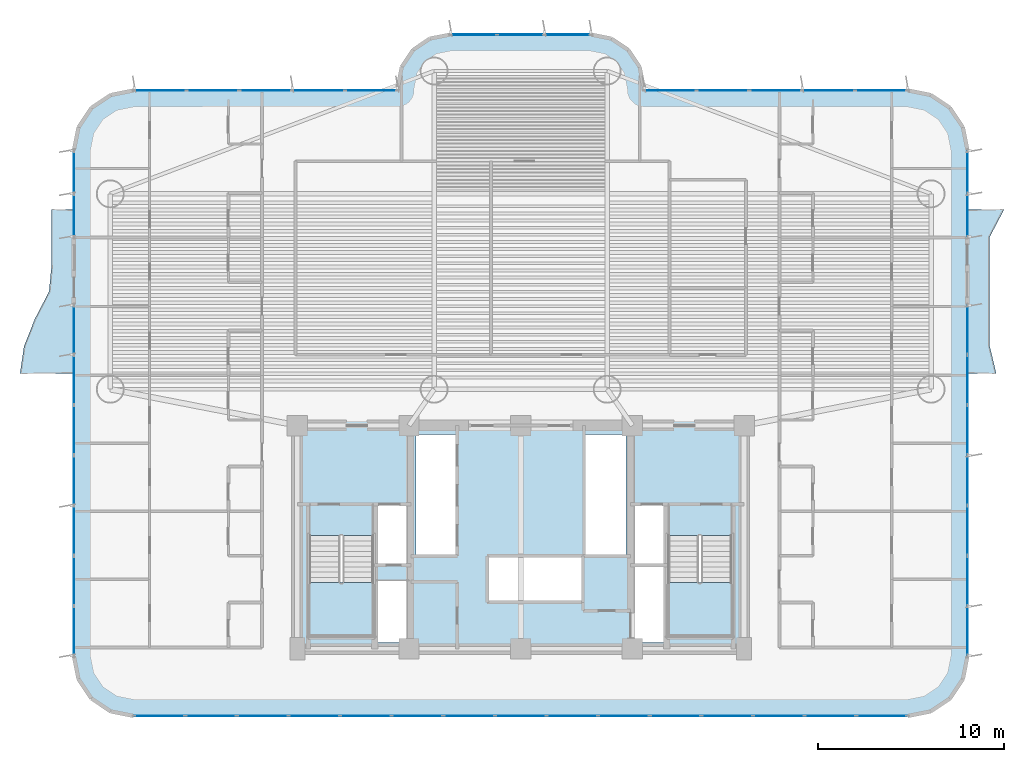
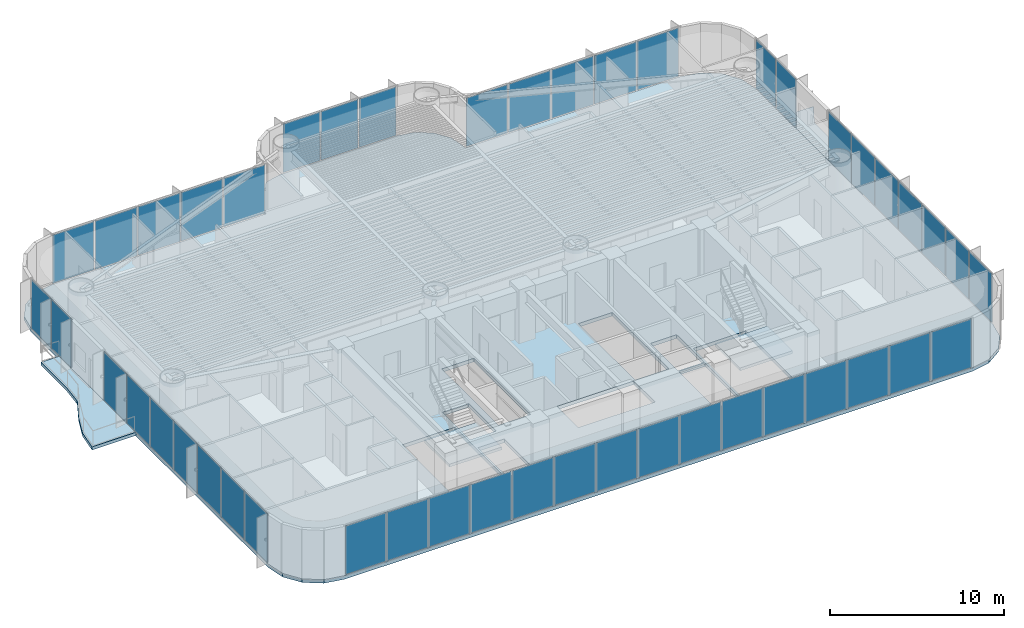
# One storey, part 9 of 19: 46 plates, 5 slabs, 10 elements without a shape of their own.
"""IFC4 building model written with IfcOpenShell, lengths in metres."""

import ifcopenshell
import ifcopenshell.guid

model = None  # the IFC model being written
_history = None  # IfcOwnerHistory: only IFC2X3 demands one
_inside = {}  # id of a spatial element -> (the spatial element, [elements in it])
_under = {}  # id of a project, library or spatial element -> (it, [spatial elements below it])
_declared = {}  # id of a project -> (the project, [libraries it declares])
_typed = {}  # id of a type object -> (the type object, [elements of that type])
_made_of = {}  # id of a material, layer set ... -> (it, [elements and type objects made of it])


def new_model(schema):
    """Start an empty IFC model of exactly this schema.

    Asked for "IFC4X3", IfcOpenShell would pick the latest addendum, in which some entities
    have other attributes; the version numbers below select the first issue.
    IFC2X3 requires an IfcOwnerHistory on every rooted entity: one is made here for all.
    """
    global model, _history
    if schema == "IFC4X3":
        model = ifcopenshell.file(schema_version=(4, 3, 0, 0))
    else:
        model = ifcopenshell.file(schema=schema)
    _inside.clear()
    _under.clear()
    _declared.clear()
    _typed.clear()
    _made_of.clear()
    _history = None
    if model.schema == "IFC2X3":
        org = make("IfcOrganization", Name="unknown")
        user = make(
            "IfcPersonAndOrganization",
            ThePerson=make("IfcPerson", FamilyName="unknown"),
            TheOrganization=org,
        )
        app = make(
            "IfcApplication",
            ApplicationDeveloper=org,
            Version="unknown",
            ApplicationFullName="unknown",
            ApplicationIdentifier="unknown",
        )
        _history = make(
            "IfcOwnerHistory",
            OwningUser=user,
            OwningApplication=app,
            ChangeAction="ADDED",
            CreationDate=0,
        )
    return model


def make(cls, **values):
    """One entity of the class cls with the attributes given. An attribute that is None is left unset."""
    return model.create_entity(
        cls, **{name: value for name, value in values.items() if value is not None}
    )


def rooted(cls, **values):
    """An entity with a GlobalId (a new one), such as an element, a storey or a relation."""
    return make(cls, GlobalId=ifcopenshell.guid.new(), OwnerHistory=_history, **values)


def si_unit(unit_type, name, prefix=None):
    """IfcSIUnit, for example si_unit("LENGTHUNIT", "METRE", prefix="MILLI")."""
    return make("IfcSIUnit", UnitType=unit_type, Prefix=prefix, Name=name)


def assignment(units):
    """IfcUnitAssignment: the units of a project."""
    return None if units is None else make("IfcUnitAssignment", Units=units)


def point(xyz):
    """IfcCartesianPoint."""
    return None if xyz is None else make("IfcCartesianPoint", Coordinates=xyz)


def direction(xyz):
    """IfcDirection."""
    return None if xyz is None else make("IfcDirection", DirectionRatios=xyz)


def frame(location, z_axis=None, x_axis=None):
    """IfcAxis2Placement3D, a coordinate frame: its origin and axes. An axis left out is left unset."""
    return make(
        "IfcAxis2Placement3D",
        Location=point(location),
        Axis=direction(z_axis),
        RefDirection=direction(x_axis),
    )


def frame_2d(location, x_axis=None):
    """IfcAxis2Placement2D, a coordinate frame in the plane: its origin and x axis."""
    return make(
        "IfcAxis2Placement2D", Location=point(location), RefDirection=direction(x_axis)
    )


def origin():
    """The frame at (0, 0, 0) with its axes left unset."""
    return frame((0.0, 0.0, 0.0))


def origin_2d():
    """The frame at (0, 0) in the plane with its x axis left unset."""
    return frame_2d((0.0, 0.0))


def place(relative_to, where):
    """IfcLocalPlacement: puts the frame where relative to a parent placement (None: the world)."""
    return make(
        "IfcLocalPlacement", PlacementRelTo=relative_to, RelativePlacement=where
    )


def context(
    kind, dimensions, precision=None, world=None, true_north=None, identifier=None
):
    """IfcGeometricRepresentationContext, for example the 3D "Model" context."""
    return make(
        "IfcGeometricRepresentationContext",
        ContextIdentifier=identifier,
        ContextType=kind,
        CoordinateSpaceDimension=dimensions,
        Precision=precision,
        WorldCoordinateSystem=world,
        TrueNorth=true_north,
    )


def subcontext(parent, identifier, kind, view, scale=None):
    """IfcGeometricRepresentationSubContext, for example "Body" below "Model"."""
    return make(
        "IfcGeometricRepresentationSubContext",
        ContextIdentifier=identifier,
        ContextType=kind,
        ParentContext=parent,
        TargetScale=scale,
        TargetView=view,
    )


def project(units=None, contexts=None):
    """IfcProject with its units and contexts."""
    return rooted(
        "IfcProject",
        Name="project",
        RepresentationContexts=contexts,
        UnitsInContext=assignment(units),
    )


def spatial(cls, under=None, at=None, **own):
    """A site, building, storey or space (cls), placed at a placement, below another one or the project."""
    s = rooted(cls, ObjectPlacement=at, **own)
    if under is not None:
        _under.setdefault(under.id(), (under, []))[1].append(s)
    return s


def polyline(points):
    """IfcPolyline through the points."""
    return make("IfcPolyline", Points=[point(p) for p in points])


def profile(cls, at=None, kind="AREA", **sizes):
    """A parametric profile (cls). Its sizes go by their IFC names, for example OverallWidth=200.0."""
    return make(cls, ProfileType=kind, Position=at, **sizes)


def rectangle(**sizes):
    """IfcRectangleProfileDef."""
    return profile("IfcRectangleProfileDef", **sizes)


def outline(outer, holes=None, kind="AREA"):
    """IfcArbitraryClosedProfileDef: a profile drawn as a closed curve; with holes, ...WithVoids."""
    if holes is None:
        return make("IfcArbitraryClosedProfileDef", ProfileType=kind, OuterCurve=outer)
    return make(
        "IfcArbitraryProfileDefWithVoids",
        ProfileType=kind,
        OuterCurve=outer,
        InnerCurves=holes,
    )


def extrude(swept, where, along, depth):
    """IfcExtrudedAreaSolid: the profile swept, set in the frame where, extruded along a direction by depth."""
    return make(
        "IfcExtrudedAreaSolid",
        SweptArea=swept,
        Position=where,
        ExtrudedDirection=direction(along),
        Depth=depth,
    )


def shape(context_of_items, identifier, shape_type, items):
    """IfcShapeRepresentation: the items that make up one representation, for example the "Body"."""
    return make(
        "IfcShapeRepresentation",
        ContextOfItems=context_of_items,
        RepresentationIdentifier=identifier,
        RepresentationType=shape_type,
        Items=items,
    )


def source(mapping_origin, context_of_items, identifier, shape_type, items):
    """IfcRepresentationMap: a shape defined once, which mapped items show again and again."""
    return make(
        "IfcRepresentationMap",
        MappingOrigin=mapping_origin,
        MappedRepresentation=shape(context_of_items, identifier, shape_type, items),
    )


def transform(
    local_origin,
    x_axis=None,
    y_axis=None,
    z_axis=None,
    scale=None,
    scale2=None,
    scale3=None,
    uniform=True,
):
    """IfcCartesianTransformationOperator3D, or its non-uniform kind. x_axis, y_axis, z_axis: its Axis1, 2, 3."""
    if uniform:
        return make(
            "IfcCartesianTransformationOperator3D",
            Axis1=direction(x_axis),
            Axis2=direction(y_axis),
            LocalOrigin=point(local_origin),
            Scale=scale,
            Axis3=direction(z_axis),
        )
    return make(
        "IfcCartesianTransformationOperator3DnonUniform",
        Axis1=direction(x_axis),
        Axis2=direction(y_axis),
        LocalOrigin=point(local_origin),
        Scale=scale,
        Axis3=direction(z_axis),
        Scale2=scale2,
        Scale3=scale3,
    )


def mapped(mapping_source, mapping_target):
    """IfcMappedItem: shows the shape of a source again, moved by a transform."""
    return make(
        "IfcMappedItem", MappingSource=mapping_source, MappingTarget=mapping_target
    )


def material(Name=None, Category=None):
    """IfcMaterial."""
    return make("IfcMaterial", Name=Name, Category=Category)


def layer(
    of_material, thickness, ventilated=None, Name=None, Category=None, Priority=None
):
    """IfcMaterialLayer: one layer of a wall or slab, of a material (None: an air gap)."""
    return make(
        "IfcMaterialLayer",
        Material=of_material,
        LayerThickness=thickness,
        IsVentilated=ventilated,
        Name=Name,
        Category=Category,
        Priority=Priority,
    )


def layer_set(layers, Name=None):
    """IfcMaterialLayerSet."""
    return make("IfcMaterialLayerSet", MaterialLayers=layers, LayerSetName=Name)


def made_of(thing, what):
    """Note that an element or type object is made of a material, layer set ...; save() writes the relation."""
    if what is not None:
        _made_of.setdefault(what.id(), (what, []))[1].append(thing)
    return thing


def type_object(cls, material=None, **own):
    """A type object (cls), such as IfcWallType, which elements share."""
    return made_of(rooted(cls, **own), material)


def element(
    cls,
    number,
    at=None,
    inside=None,
    cuts=None,
    type_object=None,
    material=None,
    context=None,
    identifier="Body",
    shape_type=None,
    held_by="IfcProductDefinitionShape",
    body=None,
    shapes=None,
    **own,
):
    """One element of the class cls, such as IfcWall. Its Tag is "e" and its number.

    at: its placement. inside: the storey or other place that contains it. cuts: it is an
    opening in that element (IfcRelVoidsElement). A single representation is given by context,
    identifier, shape_type and body (its items); several are given by shapes. held_by: the class
    of the entity that holds the representations. save() writes the other relations.
    """
    e = rooted(cls, Tag="e%d" % number, ObjectPlacement=at, **own)
    if body is not None:
        shapes = [shape(context, identifier, shape_type, body)]
    if shapes is not None:
        e.Representation = make(held_by, Representations=shapes)
    if inside is not None:
        _inside.setdefault(inside.id(), (inside, []))[1].append(e)
    if cuts is not None:
        rooted(
            "IfcRelVoidsElement", RelatingBuildingElement=cuts, RelatedOpeningElement=e
        )
    if type_object is not None:
        _typed.setdefault(type_object.id(), (type_object, []))[1].append(e)
    return made_of(e, material)


def aggregate(whole, parts):
    """IfcRelAggregates: a whole, such as a stair, and the parts it consists of."""
    return rooted("IfcRelAggregates", RelatingObject=whole, RelatedObjects=parts)


def save(model, path):
    """Write the relations noted so far, then the file.

    IfcRelAggregates (storeys below a building ...), IfcRelContainedInSpatialStructure (elements
    in a storey), IfcRelDefinesByType, IfcRelAssociatesMaterial and IfcRelDeclares: one each for
    every whole, place, type object, material and project.
    """
    for whole, parts in _under.values():
        aggregate(whole, parts)
    for where, things in _inside.values():
        rooted(
            "IfcRelContainedInSpatialStructure",
            RelatedElements=things,
            RelatingStructure=where,
        )
    for kind, things in _typed.values():
        rooted("IfcRelDefinesByType", RelatedObjects=things, RelatingType=kind)
    for what, things in _made_of.values():
        rooted("IfcRelAssociatesMaterial", RelatedObjects=things, RelatingMaterial=what)
    for by, libraries in _declared.values():
        rooted("IfcRelDeclares", RelatingContext=by, RelatedDefinitions=libraries)
    model.write(path)


model = new_model("IFC4")

# Units and contexts
model_context = context("Model", 3, precision=1e-05, world=origin(), true_north=direction((0.0, 1.0)))
body_context = subcontext(model_context, "Body", "Model", "MODEL_VIEW")
ifc_project = project(units=[si_unit("LENGTHUNIT", "METRE"), si_unit("AREAUNIT", "SQUARE_METRE"), si_unit("VOLUMEUNIT", "CUBIC_METRE"), si_unit("PLANEANGLEUNIT", "RADIAN"), si_unit("MASSUNIT", "GRAM", prefix="KILO")], contexts=[model_context])

# Site, building, storey
site_placement = place(None, origin())
site = spatial("IfcSite", under=ifc_project, at=site_placement, CompositionType="ELEMENT")
building_placement = place(site_placement, origin())
building = spatial("IfcBuilding", under=site, at=building_placement, Name="Brelvock Crest Care Tower", CompositionType="ELEMENT")
storey_placement = place(building_placement, frame((0.0, 0.0, 34.56005859375)))
storey = spatial("IfcBuildingStorey", under=building, at=storey_placement, Name="L08", CompositionType="ELEMENT", Elevation=34.56005859375)

# Slabs
ifc_material_1 = material(Name="Concrete N50 (50 MPa)", Category="concrete")
ifc_layer_1 = layer(ifc_material_1, 0.25, Name="SLB-FL3")
ifc_layer_set_1 = layer_set([ifc_layer_1], Name="Concrete N50 (50 MPa)")
slab_type_1 = type_object("IfcSlabType", Name="SLB-FL3", PredefinedType="FLOOR", material=ifc_layer_set_1)
slab_1_placement = place(storey_placement, frame((0.0, 0.0, -0.25)))
element("IfcSlab", 1, at=slab_1_placement, inside=storey, type_object=slab_type_1, Name="L08 Main Structural Slab", PredefinedType="FLOOR", context=body_context, shape_type="SweptSolid", body=[
    extrude(outline(polyline([(56.800048828125, 36.0), (42.60009765625, 36.0), (42.60009765625, 36.199951171875), (42.386962890625, 37.271484375), (41.77978515625, 38.179931640625), (40.87158203125, 38.786865234375), (39.800048828125, 39.0), (32.199951171875, 39.0), (31.12841796875, 38.786865234375), (30.22021484375, 38.179931640625), (29.613037109375, 37.271484375), (29.39990234375, 36.199951171875), (29.39990234375, 36.0), (15.199951171875, 36.0), (13.975341796875, 35.75634765625), (12.937255859375, 35.062744140625), (12.24365234375, 34.024658203125), (12.0, 32.800048828125), (12.0, 5.60009765625), (12.24365234375, 4.37548828125), (12.937255859375, 3.33740234375), (13.975341796875, 2.6435546875), (15.199951171875, 2.39990234375), (56.800048828125, 2.39990234375), (58.024658203125, 2.6435546875), (59.062744140625, 3.33740234375), (59.75634765625, 4.37548828125), (60.0, 5.60009765625), (60.0, 32.800048828125), (59.75634765625, 34.024658203125), (59.062744140625, 35.062744140625), (58.024658203125, 35.75634765625), (56.800048828125, 36.0)]), holes=[polyline([(28.239990234375, 10.580078125), (29.97998046875, 10.580078125), (29.97998046875, 13.739990234375), (28.239990234375, 13.739990234375), (28.239990234375, 10.580078125)]), polyline([(42.02001953125, 10.580078125), (43.760009765625, 10.580078125), (43.760009765625, 13.739990234375), (42.02001953125, 13.739990234375), (42.02001953125, 10.580078125)]), polyline([(28.239990234375, 6.340087890625), (29.97998046875, 6.340087890625), (29.97998046875, 9.64990234375), (28.239990234375, 9.64990234375), (28.239990234375, 6.340087890625)]), polyline([(24.6298828125, 12.080078125), (24.6298828125, 6.699951171875), (28.110107421875, 6.699951171875), (28.110107421875, 12.080078125), (24.6298828125, 12.080078125)]), polyline([(43.889892578125, 12.080078125), (43.889892578125, 6.699951171875), (47.3701171875, 6.699951171875), (47.3701171875, 12.080078125), (43.889892578125, 12.080078125)]), polyline([(42.02001953125, 6.340087890625), (43.760009765625, 6.340087890625), (43.760009765625, 10.5), (42.02001953125, 10.5), (42.02001953125, 6.340087890625)]), polyline([(30.3798828125, 11.030029296875), (32.52001953125, 11.030029296875), (32.52001953125, 17.52001953125), (30.3798828125, 17.52001953125), (30.3798828125, 11.030029296875)]), polyline([(34.22998046875, 8.530029296875), (39.320068359375, 8.530029296875), (39.320068359375, 10.969970703125), (34.22998046875, 10.969970703125), (34.22998046875, 8.530029296875)]), polyline([(39.429931640625, 11.030029296875), (41.669921875, 11.030029296875), (41.669921875, 17.52001953125), (39.429931640625, 17.52001953125), (39.429931640625, 11.030029296875)])]), origin(), (0.0, 0.0, 1.0), 0.25),
])
ifc_layer_2 = layer(ifc_material_1, 0.219970703125, Name="SLB-WB1")
ifc_layer_set_2 = layer_set([ifc_layer_2], Name="Concrete N50 (50 MPa)")
slab_type_2 = type_object("IfcSlabType", Name="SLB-WB1", PredefinedType="FLOOR", material=ifc_layer_set_2)
slab_2_placement = place(storey_placement, frame((0.0, 0.0, -0.219970703125)))
element("IfcSlab", 2, at=slab_2_placement, inside=storey, type_object=slab_type_2, Name="L08 W Sinusoidal Wave Balcony Slab", PredefinedType="FLOOR", context=body_context, shape_type="SweptSolid", body=[
    extrude(outline(polyline([(12.0, 29.60009765625), (10.800048828125, 29.60009765625), (10.800048828125, 28.13330078125), (10.800048828125, 26.666748046875), (10.6611328125, 25.199951171875), (9.90087890625, 23.7333984375), (9.31787109375, 22.2666015625), (9.10009765625, 20.800048828125), (12.0, 20.800048828125), (12.0, 29.60009765625)])), origin(), (0.0, 0.0, 1.0), 0.219970703125),
])
slab_3_placement = place(storey_placement, frame((0.0, 0.0, -0.219970703125)))
element("IfcSlab", 3, at=slab_3_placement, inside=storey, type_object=slab_type_2, Name="L08 E Sinusoidal Wave Balcony Slab", PredefinedType="FLOOR", context=body_context, shape_type="SweptSolid", body=[
    extrude(outline(polyline([(60.0, 20.800048828125), (61.550048828125, 20.800048828125), (61.199951171875, 22.2666015625), (61.199951171875, 23.7333984375), (61.199951171875, 25.199951171875), (61.199951171875, 26.666748046875), (61.20068359375, 28.13330078125), (61.96728515625, 29.60009765625), (60.0, 29.60009765625), (60.0, 20.800048828125)])), origin(), (0.0, 0.0, 1.0), 0.219970703125),
])

# Stair, slab
ifc_material_2 = material(Name="Concrete N40 (40 MPa)", Category="concrete")
stair_type = type_object("IfcStairType", Name="ST-CORE1", PredefinedType="HALF_TURN_STAIR", material=ifc_material_2)
stair_1_placement = place(storey_placement, origin())
stair_1 = element("IfcStair", 4, at=stair_1_placement, inside=storey, type_object=stair_type, Name="L08 Fire-Isolated Core Stair ST-1", PredefinedType="HALF_TURN_STAIR")
ifc_layer_3 = layer(ifc_material_2, 0.199951171875, Name="STL-1")
ifc_layer_set_3 = layer_set([ifc_layer_3], Name="Concrete N40 (40 MPa)")
slab_type_3 = type_object("IfcSlabType", Name="STL-1", PredefinedType="LANDING", material=ifc_layer_set_3)
slab_4_placement = place(storey_placement, frame((0.0, 0.0, 1.68994140625)))
slab_4 = element("IfcSlab", 5, at=slab_4_placement, type_object=slab_type_3, Name="ST-1 landing 1", PredefinedType="LANDING", context=body_context, shape_type="SweptSolid", body=[
    extrude(outline(polyline([(24.6298828125, 9.56005859375), (24.6298828125, 6.699951171875), (28.110107421875, 6.699951171875), (28.110107421875, 9.56005859375), (24.6298828125, 9.56005859375)])), origin(), (0.0, 0.0, 1.0), 0.199951171875),
])
aggregate(stair_1, [slab_4])

stair_2_placement = place(storey_placement, origin())
stair_2 = element("IfcStair", 6, at=stair_2_placement, inside=storey, type_object=stair_type, Name="L08 Fire-Isolated Core Stair ST-2", PredefinedType="HALF_TURN_STAIR")
slab_5_placement = place(storey_placement, frame((0.0, 0.0, 1.68994140625)))
slab_5 = element("IfcSlab", 7, at=slab_5_placement, type_object=slab_type_3, Name="ST-2 landing 1", PredefinedType="LANDING", context=body_context, shape_type="SweptSolid", body=[
    extrude(outline(polyline([(43.889892578125, 9.56005859375), (43.889892578125, 6.699951171875), (47.3701171875, 6.699951171875), (47.3701171875, 9.56005859375), (43.889892578125, 9.56005859375)])), origin(), (0.0, 0.0, 1.0), 0.199951171875),
])
aggregate(stair_2, [slab_5])

# Curtain wall, plates
ifc_material_3 = material(Name="Dark Glass Double Glazed Low-E", Category="glass")
ifc_layer_4 = layer(ifc_material_3, 0.195068359375, Name="CWS-2")
ifc_layer_set_4 = layer_set([ifc_layer_4], Name="Dark Glass Double Glazed Low-E")
curtain_wall_type = type_object("IfcCurtainWallType", Name="CWS-2", PredefinedType="NOTDEFINED", material=ifc_layer_set_4)
curtain_wall_1_placement = place(storey_placement, origin())
curtain_wall_1 = element("IfcCurtainWall", 8, at=curtain_wall_1_placement, inside=storey, type_object=curtain_wall_type, Name="L08 Curtain Wall E08", PredefinedType="NOTDEFINED")
ifc_layer_5 = layer(ifc_material_3, 0.031982421875, Name="CWP-V1")
ifc_layer_set_5 = layer_set([ifc_layer_5], Name="Dark Glass Double Glazed Low-E")
plate_type = type_object("IfcPlateType", Name="CWP-V1", PredefinedType="CURTAIN_PANEL", material=ifc_layer_set_5)
shared_shape_1 = source(origin(), body_context, "Body", "SweptSolid", [
    extrude(rectangle(XDim=2.67578125, YDim=0.035888671875, at=origin_2d()), origin(), (0.0, 0.0, 1.0), 3.39990234375),
])
plate_1_placement = place(storey_placement, frame((55.39697265625, 2.39990234375, 0.06494140625), z_axis=(0.0, 0.0, 1.0), x_axis=(-1.0, 0.0, 0.0)))
plate_1 = element("IfcPlate", 9, at=plate_1_placement, type_object=plate_type, Name="CW-2 panel 1.1", PredefinedType="CURTAIN_PANEL", context=body_context, shape_type="MappedRepresentation", body=[
    mapped(shared_shape_1, transform((0.0, 0.0, 0.0), x_axis=(1.0, 0.0, 0.0), y_axis=(0.0, 1.0, 0.0), z_axis=(0.0, 0.0, 1.0), scale=1.0)),
])
plate_2_placement = place(storey_placement, frame((16.60302734375, 2.39990234375, 0.06494140625), z_axis=(0.0, 0.0, 1.0), x_axis=(-1.0, 0.0, 0.0)))
plate_2 = element("IfcPlate", 10, at=plate_2_placement, type_object=plate_type, Name="CW-2 panel 15.1", PredefinedType="CURTAIN_PANEL", context=body_context, shape_type="MappedRepresentation", body=[
    mapped(shared_shape_1, transform((0.0, 0.0, 0.0), x_axis=(1.0, 0.0, 0.0), y_axis=(0.0, 1.0, 0.0), z_axis=(0.0, 0.0, 1.0), scale=1.0)),
])
shared_shape_2 = source(origin(), body_context, "Body", "SweptSolid", [
    extrude(rectangle(XDim=2.708251953125, YDim=0.035888671875, at=origin_2d()), origin(), (0.0, 0.0, 1.0), 3.39990234375),
])
plate_3_placement = place(storey_placement, frame((52.639892578125, 2.39990234375, 0.06494140625), z_axis=(0.0, 0.0, 1.0), x_axis=(-1.0, 0.0, 0.0)))
plate_3 = element("IfcPlate", 11, at=plate_3_placement, type_object=plate_type, Name="CW-2 panel 2.1", PredefinedType="CURTAIN_PANEL", context=body_context, shape_type="MappedRepresentation", body=[
    mapped(shared_shape_2, transform((0.0, 0.0, 0.0), x_axis=(1.0, 0.0, 0.0), y_axis=(0.0, 1.0, 0.0), z_axis=(0.0, 0.0, 1.0), scale=1.0)),
])
plate_4_placement = place(storey_placement, frame((49.86669921875, 2.39990234375, 0.06494140625), z_axis=(0.0, 0.0, 1.0), x_axis=(-1.0, 0.0, 0.0)))
plate_4 = element("IfcPlate", 12, at=plate_4_placement, type_object=plate_type, Name="CW-2 panel 3.1", PredefinedType="CURTAIN_PANEL", context=body_context, shape_type="MappedRepresentation", body=[
    mapped(shared_shape_2, transform((0.0, 0.0, 0.0), x_axis=(1.0, 0.0, 0.0), y_axis=(0.0, 1.0, 0.0), z_axis=(0.0, 0.0, 1.0), scale=1.0)),
])
plate_5_placement = place(storey_placement, frame((47.09326171875, 2.39990234375, 0.06494140625), z_axis=(0.0, 0.0, 1.0), x_axis=(-1.0, 0.0, 0.0)))
plate_5 = element("IfcPlate", 13, at=plate_5_placement, type_object=plate_type, Name="CW-2 panel 4.1", PredefinedType="CURTAIN_PANEL", context=body_context, shape_type="MappedRepresentation", body=[
    mapped(shared_shape_2, transform((0.0, 0.0, 0.0), x_axis=(1.0, 0.0, 0.0), y_axis=(0.0, 1.0, 0.0), z_axis=(0.0, 0.0, 1.0), scale=1.0)),
])
plate_6_placement = place(storey_placement, frame((44.320068359375, 2.39990234375, 0.06494140625), z_axis=(0.0, 0.0, 1.0), x_axis=(-1.0, 0.0, 0.0)))
plate_6 = element("IfcPlate", 14, at=plate_6_placement, type_object=plate_type, Name="CW-2 panel 5.1", PredefinedType="CURTAIN_PANEL", context=body_context, shape_type="MappedRepresentation", body=[
    mapped(shared_shape_2, transform((0.0, 0.0, 0.0), x_axis=(1.0, 0.0, 0.0), y_axis=(0.0, 1.0, 0.0), z_axis=(0.0, 0.0, 1.0), scale=1.0)),
])
plate_7_placement = place(storey_placement, frame((41.546630859375, 2.39990234375, 0.06494140625), z_axis=(0.0, 0.0, 1.0), x_axis=(-1.0, 0.0, 0.0)))
plate_7 = element("IfcPlate", 15, at=plate_7_placement, type_object=plate_type, Name="CW-2 panel 6.1", PredefinedType="CURTAIN_PANEL", context=body_context, shape_type="MappedRepresentation", body=[
    mapped(shared_shape_2, transform((0.0, 0.0, 0.0), x_axis=(1.0, 0.0, 0.0), y_axis=(0.0, 1.0, 0.0), z_axis=(0.0, 0.0, 1.0), scale=1.0)),
])
plate_8_placement = place(storey_placement, frame((38.7734375, 2.39990234375, 0.06494140625), z_axis=(0.0, 0.0, 1.0), x_axis=(-1.0, 0.0, 0.0)))
plate_8 = element("IfcPlate", 16, at=plate_8_placement, type_object=plate_type, Name="CW-2 panel 7.1", PredefinedType="CURTAIN_PANEL", context=body_context, shape_type="MappedRepresentation", body=[
    mapped(shared_shape_2, transform((0.0, 0.0, 0.0), x_axis=(1.0, 0.0, 0.0), y_axis=(0.0, 1.0, 0.0), z_axis=(0.0, 0.0, 1.0), scale=1.0)),
])
plate_9_placement = place(storey_placement, frame((36.0, 2.39990234375, 0.06494140625), z_axis=(0.0, 0.0, 1.0), x_axis=(-1.0, 0.0, 0.0)))
plate_9 = element("IfcPlate", 17, at=plate_9_placement, type_object=plate_type, Name="CW-2 panel 8.1", PredefinedType="CURTAIN_PANEL", context=body_context, shape_type="MappedRepresentation", body=[
    mapped(shared_shape_2, transform((0.0, 0.0, 0.0), x_axis=(1.0, 0.0, 0.0), y_axis=(0.0, 1.0, 0.0), z_axis=(0.0, 0.0, 1.0), scale=1.0)),
])
plate_10_placement = place(storey_placement, frame((33.2265625, 2.39990234375, 0.06494140625), z_axis=(0.0, 0.0, 1.0), x_axis=(-1.0, 0.0, 0.0)))
plate_10 = element("IfcPlate", 18, at=plate_10_placement, type_object=plate_type, Name="CW-2 panel 9.1", PredefinedType="CURTAIN_PANEL", context=body_context, shape_type="MappedRepresentation", body=[
    mapped(shared_shape_2, transform((0.0, 0.0, 0.0), x_axis=(1.0, 0.0, 0.0), y_axis=(0.0, 1.0, 0.0), z_axis=(0.0, 0.0, 1.0), scale=1.0)),
])
plate_11_placement = place(storey_placement, frame((30.453369140625, 2.39990234375, 0.06494140625), z_axis=(0.0, 0.0, 1.0), x_axis=(-1.0, 0.0, 0.0)))
plate_11 = element("IfcPlate", 19, at=plate_11_placement, type_object=plate_type, Name="CW-2 panel 10.1", PredefinedType="CURTAIN_PANEL", context=body_context, shape_type="MappedRepresentation", body=[
    mapped(shared_shape_2, transform((0.0, 0.0, 0.0), x_axis=(1.0, 0.0, 0.0), y_axis=(0.0, 1.0, 0.0), z_axis=(0.0, 0.0, 1.0), scale=1.0)),
])
plate_12_placement = place(storey_placement, frame((27.679931640625, 2.39990234375, 0.06494140625), z_axis=(0.0, 0.0, 1.0), x_axis=(-1.0, 0.0, 0.0)))
plate_12 = element("IfcPlate", 20, at=plate_12_placement, type_object=plate_type, Name="CW-2 panel 11.1", PredefinedType="CURTAIN_PANEL", context=body_context, shape_type="MappedRepresentation", body=[
    mapped(shared_shape_2, transform((0.0, 0.0, 0.0), x_axis=(1.0, 0.0, 0.0), y_axis=(0.0, 1.0, 0.0), z_axis=(0.0, 0.0, 1.0), scale=1.0)),
])
plate_13_placement = place(storey_placement, frame((24.90673828125, 2.39990234375, 0.06494140625), z_axis=(0.0, 0.0, 1.0), x_axis=(-1.0, 0.0, 0.0)))
plate_13 = element("IfcPlate", 21, at=plate_13_placement, type_object=plate_type, Name="CW-2 panel 12.1", PredefinedType="CURTAIN_PANEL", context=body_context, shape_type="MappedRepresentation", body=[
    mapped(shared_shape_2, transform((0.0, 0.0, 0.0), x_axis=(1.0, 0.0, 0.0), y_axis=(0.0, 1.0, 0.0), z_axis=(0.0, 0.0, 1.0), scale=1.0)),
])
plate_14_placement = place(storey_placement, frame((22.13330078125, 2.39990234375, 0.06494140625), z_axis=(0.0, 0.0, 1.0), x_axis=(-1.0, 0.0, 0.0)))
plate_14 = element("IfcPlate", 22, at=plate_14_placement, type_object=plate_type, Name="CW-2 panel 13.1", PredefinedType="CURTAIN_PANEL", context=body_context, shape_type="MappedRepresentation", body=[
    mapped(shared_shape_2, transform((0.0, 0.0, 0.0), x_axis=(1.0, 0.0, 0.0), y_axis=(0.0, 1.0, 0.0), z_axis=(0.0, 0.0, 1.0), scale=1.0)),
])
plate_15_placement = place(storey_placement, frame((19.360107421875, 2.39990234375, 0.06494140625), z_axis=(0.0, 0.0, 1.0), x_axis=(-1.0, 0.0, 0.0)))
plate_15 = element("IfcPlate", 23, at=plate_15_placement, type_object=plate_type, Name="CW-2 panel 14.1", PredefinedType="CURTAIN_PANEL", context=body_context, shape_type="MappedRepresentation", body=[
    mapped(shared_shape_2, transform((0.0, 0.0, 0.0), x_axis=(1.0, 0.0, 0.0), y_axis=(0.0, 1.0, 0.0), z_axis=(0.0, 0.0, 1.0), scale=1.0)),
])
aggregate(curtain_wall_1, [plate_1, plate_3, plate_4, plate_5, plate_6, plate_7, plate_8, plate_9, plate_10, plate_11, plate_12, plate_13, plate_14, plate_15, plate_2])

curtain_wall_2_placement = place(storey_placement, origin())
curtain_wall_2 = element("IfcCurtainWall", 24, at=curtain_wall_2_placement, inside=storey, type_object=curtain_wall_type, Name="L08 Curtain Wall E18", PredefinedType="NOTDEFINED")
shared_shape_3 = source(origin(), body_context, "Body", "SweptSolid", [
    extrude(rectangle(XDim=2.742431640625, YDim=0.035888671875, at=origin_2d()), origin(), (0.0, 0.0, 1.0), 3.39990234375),
])
plate_16_placement = place(storey_placement, frame((16.63623046875, 36.0, 0.06494140625), z_axis=(0.0, 0.0, 1.0), x_axis=(1.0, 0.0, 0.0)))
plate_16 = element("IfcPlate", 25, at=plate_16_placement, type_object=plate_type, Name="CW-2 panel 1.1", PredefinedType="CURTAIN_PANEL", context=body_context, shape_type="MappedRepresentation", body=[
    mapped(shared_shape_3, transform((0.0, 0.0, 0.0), x_axis=(1.0, 0.0, 0.0), y_axis=(0.0, 1.0, 0.0), z_axis=(0.0, 0.0, 1.0), scale=1.0)),
])
plate_17_placement = place(storey_placement, frame((27.9638671875, 36.0, 0.06494140625), z_axis=(0.0, 0.0, 1.0), x_axis=(1.0, 0.0, 0.0)))
plate_17 = element("IfcPlate", 26, at=plate_17_placement, type_object=plate_type, Name="CW-2 panel 5.1", PredefinedType="CURTAIN_PANEL", context=body_context, shape_type="MappedRepresentation", body=[
    mapped(shared_shape_3, transform((0.0, 0.0, 0.0), x_axis=(1.0, 0.0, 0.0), y_axis=(0.0, 1.0, 0.0), z_axis=(0.0, 0.0, 1.0), scale=1.0)),
])

curtain_wall_3_placement = place(storey_placement, origin())
curtain_wall_3 = element("IfcCurtainWall", 27, at=curtain_wall_3_placement, inside=storey, type_object=curtain_wall_type, Name="L08 Curtain Wall E30", PredefinedType="NOTDEFINED")
plate_18_placement = place(storey_placement, frame((44.0361328125, 36.0, 0.06494140625), z_axis=(0.0, 0.0, 1.0), x_axis=(1.0, 0.0, 0.0)))
plate_18 = element("IfcPlate", 28, at=plate_18_placement, type_object=plate_type, Name="CW-2 panel 1.1", PredefinedType="CURTAIN_PANEL", context=body_context, shape_type="MappedRepresentation", body=[
    mapped(shared_shape_3, transform((0.0, 0.0, 0.0), x_axis=(1.0, 0.0, 0.0), y_axis=(0.0, 1.0, 0.0), z_axis=(0.0, 0.0, 1.0), scale=1.0)),
])
plate_19_placement = place(storey_placement, frame((55.36376953125, 36.0, 0.06494140625), z_axis=(0.0, 0.0, 1.0), x_axis=(1.0, 0.0, 0.0)))
plate_19 = element("IfcPlate", 29, at=plate_19_placement, type_object=plate_type, Name="CW-2 panel 5.1", PredefinedType="CURTAIN_PANEL", context=body_context, shape_type="MappedRepresentation", body=[
    mapped(shared_shape_3, transform((0.0, 0.0, 0.0), x_axis=(1.0, 0.0, 0.0), y_axis=(0.0, 1.0, 0.0), z_axis=(0.0, 0.0, 1.0), scale=1.0)),
])

# Plate
shared_shape_4 = source(origin(), body_context, "Body", "SweptSolid", [
    extrude(rectangle(XDim=2.77490234375, YDim=0.035888671875, at=origin_2d()), origin(), (0.0, 0.0, 1.0), 3.39990234375),
])
plate_20_placement = place(storey_placement, frame((19.4599609375, 36.0, 0.06494140625), z_axis=(0.0, 0.0, 1.0), x_axis=(1.0, 0.0, 0.0)))
plate_20 = element("IfcPlate", 30, at=plate_20_placement, type_object=plate_type, Name="CW-2 panel 2.1", PredefinedType="CURTAIN_PANEL", context=body_context, shape_type="MappedRepresentation", body=[
    mapped(shared_shape_4, transform((0.0, 0.0, 0.0), x_axis=(1.0, 0.0, 0.0), y_axis=(0.0, 1.0, 0.0), z_axis=(0.0, 0.0, 1.0), scale=1.0)),
])

plate_21_placement = place(storey_placement, frame((22.300048828125, 36.0, 0.06494140625), z_axis=(0.0, 0.0, 1.0), x_axis=(1.0, 0.0, 0.0)))
plate_21 = element("IfcPlate", 31, at=plate_21_placement, type_object=plate_type, Name="CW-2 panel 3.1", PredefinedType="CURTAIN_PANEL", context=body_context, shape_type="MappedRepresentation", body=[
    mapped(shared_shape_4, transform((0.0, 0.0, 0.0), x_axis=(1.0, 0.0, 0.0), y_axis=(0.0, 1.0, 0.0), z_axis=(0.0, 0.0, 1.0), scale=1.0)),
])

plate_22_placement = place(storey_placement, frame((25.139892578125, 36.0, 0.06494140625), z_axis=(0.0, 0.0, 1.0), x_axis=(1.0, 0.0, 0.0)))
plate_22 = element("IfcPlate", 32, at=plate_22_placement, type_object=plate_type, Name="CW-2 panel 4.1", PredefinedType="CURTAIN_PANEL", context=body_context, shape_type="MappedRepresentation", body=[
    mapped(shared_shape_4, transform((0.0, 0.0, 0.0), x_axis=(1.0, 0.0, 0.0), y_axis=(0.0, 1.0, 0.0), z_axis=(0.0, 0.0, 1.0), scale=1.0)),
])

aggregate(curtain_wall_2, [plate_16, plate_20, plate_21, plate_22, plate_17])

plate_23_placement = place(storey_placement, frame((46.860107421875, 36.0, 0.06494140625), z_axis=(0.0, 0.0, 1.0), x_axis=(1.0, 0.0, 0.0)))
plate_23 = element("IfcPlate", 33, at=plate_23_placement, type_object=plate_type, Name="CW-2 panel 2.1", PredefinedType="CURTAIN_PANEL", context=body_context, shape_type="MappedRepresentation", body=[
    mapped(shared_shape_4, transform((0.0, 0.0, 0.0), x_axis=(1.0, 0.0, 0.0), y_axis=(0.0, 1.0, 0.0), z_axis=(0.0, 0.0, 1.0), scale=1.0)),
])

plate_24_placement = place(storey_placement, frame((49.699951171875, 36.0, 0.06494140625), z_axis=(0.0, 0.0, 1.0), x_axis=(1.0, 0.0, 0.0)))
plate_24 = element("IfcPlate", 34, at=plate_24_placement, type_object=plate_type, Name="CW-2 panel 3.1", PredefinedType="CURTAIN_PANEL", context=body_context, shape_type="MappedRepresentation", body=[
    mapped(shared_shape_4, transform((0.0, 0.0, 0.0), x_axis=(1.0, 0.0, 0.0), y_axis=(0.0, 1.0, 0.0), z_axis=(0.0, 0.0, 1.0), scale=1.0)),
])

plate_25_placement = place(storey_placement, frame((52.5400390625, 36.0, 0.06494140625), z_axis=(0.0, 0.0, 1.0), x_axis=(1.0, 0.0, 0.0)))
plate_25 = element("IfcPlate", 35, at=plate_25_placement, type_object=plate_type, Name="CW-2 panel 4.1", PredefinedType="CURTAIN_PANEL", context=body_context, shape_type="MappedRepresentation", body=[
    mapped(shared_shape_4, transform((0.0, 0.0, 0.0), x_axis=(1.0, 0.0, 0.0), y_axis=(0.0, 1.0, 0.0), z_axis=(0.0, 0.0, 1.0), scale=1.0)),
])

aggregate(curtain_wall_3, [plate_18, plate_23, plate_24, plate_25, plate_19])

# Curtain wall, plates
curtain_wall_4_placement = place(storey_placement, origin())
curtain_wall_4 = element("IfcCurtainWall", 36, at=curtain_wall_4_placement, inside=storey, type_object=curtain_wall_type, Name="L08 Curtain Wall E24", PredefinedType="NOTDEFINED")
shared_shape_5 = source(origin(), body_context, "Body", "SweptSolid", [
    extrude(rectangle(XDim=2.435791015625, YDim=0.035888671875, at=origin_2d()), origin(), (0.0, 0.0, 1.0), 3.39990234375),
])
plate_26_placement = place(storey_placement, frame((33.48291015625, 39.0, 0.06494140625), z_axis=(0.0, 0.0, 1.0), x_axis=(1.0, 0.0, 0.0)))
plate_26 = element("IfcPlate", 37, at=plate_26_placement, type_object=plate_type, Name="CW-2 panel 1.1", PredefinedType="CURTAIN_PANEL", context=body_context, shape_type="MappedRepresentation", body=[
    mapped(shared_shape_5, transform((0.0, 0.0, 0.0), x_axis=(1.0, 0.0, 0.0), y_axis=(0.0, 1.0, 0.0), z_axis=(0.0, 0.0, 1.0), scale=1.0)),
])
plate_27_placement = place(storey_placement, frame((38.51708984375, 39.0, 0.06494140625), z_axis=(0.0, 0.0, 1.0), x_axis=(1.0, 0.0, 0.0)))
plate_27 = element("IfcPlate", 38, at=plate_27_placement, type_object=plate_type, Name="CW-2 panel 3.1", PredefinedType="CURTAIN_PANEL", context=body_context, shape_type="MappedRepresentation", body=[
    mapped(shared_shape_5, transform((0.0, 0.0, 0.0), x_axis=(1.0, 0.0, 0.0), y_axis=(0.0, 1.0, 0.0), z_axis=(0.0, 0.0, 1.0), scale=1.0)),
])
shared_shape_6 = source(origin(), body_context, "Body", "SweptSolid", [
    extrude(rectangle(XDim=2.46826171875, YDim=0.035888671875, at=origin_2d()), origin(), (0.0, 0.0, 1.0), 3.39990234375),
])
plate_28_placement = place(storey_placement, frame((36.0, 39.0, 0.06494140625), z_axis=(0.0, 0.0, 1.0), x_axis=(1.0, 0.0, 0.0)))
plate_28 = element("IfcPlate", 39, at=plate_28_placement, type_object=plate_type, Name="CW-2 panel 2.1", PredefinedType="CURTAIN_PANEL", context=body_context, shape_type="MappedRepresentation", body=[
    mapped(shared_shape_6, transform((0.0, 0.0, 0.0), x_axis=(1.0, 0.0, 0.0), y_axis=(0.0, 1.0, 0.0), z_axis=(0.0, 0.0, 1.0), scale=1.0)),
])
aggregate(curtain_wall_4, [plate_26, plate_28, plate_27])

curtain_wall_5_placement = place(storey_placement, origin())
curtain_wall_5 = element("IfcCurtainWall", 40, at=curtain_wall_5_placement, inside=storey, type_object=curtain_wall_type, Name="L08 Curtain Wall E03A", PredefinedType="NOTDEFINED")
shared_shape_7 = source(origin(), body_context, "Body", "SweptSolid", [
    extrude(rectangle(XDim=2.25244140625, YDim=0.035888671875, at=origin_2d()), origin(), (0.0, 0.0, 1.0), 3.39990234375),
])
plate_29_placement = place(storey_placement, frame((60.0, 31.608642578125, 0.06494140625), z_axis=(0.0, 0.0, 1.0), x_axis=(0.0, -1.0, 0.0)))
plate_29 = element("IfcPlate", 41, at=plate_29_placement, type_object=plate_type, Name="CW-2 panel 1.1", PredefinedType="CURTAIN_PANEL", context=body_context, shape_type="MappedRepresentation", body=[
    mapped(shared_shape_7, transform((0.0, 0.0, 0.0), x_axis=(1.0, 0.0, 0.0), y_axis=(0.0, 1.0, 0.0), z_axis=(0.0, 0.0, 1.0), scale=1.0)),
])
plate_30_placement = place(storey_placement, frame((60.0, 29.291259765625, 0.06494140625), z_axis=(0.0, 0.0, 1.0), x_axis=(0.0, -1.0, 0.0)))
plate_30 = element("IfcPlate", 42, at=plate_30_placement, type_object=plate_type, Name="CW-2 panel 2.1", PredefinedType="CURTAIN_PANEL", context=body_context, shape_type="MappedRepresentation", body=[
    mapped(shared_shape_7, transform((0.0, 0.0, 0.0), x_axis=(1.0, 0.0, 0.0), y_axis=(0.0, 1.0, 0.0), z_axis=(0.0, 0.0, 1.0), scale=1.0)),
])
aggregate(curtain_wall_5, [plate_29, plate_30])

curtain_wall_6_placement = place(storey_placement, origin())
curtain_wall_6 = element("IfcCurtainWall", 43, at=curtain_wall_6_placement, inside=storey, type_object=curtain_wall_type, Name="L08 Curtain Wall E13B", PredefinedType="NOTDEFINED")
plate_31_placement = place(storey_placement, frame((12.0, 29.291259765625, 0.06494140625), z_axis=(0.0, 0.0, 1.0), x_axis=(0.0, 1.0, 0.0)))
plate_31 = element("IfcPlate", 44, at=plate_31_placement, type_object=plate_type, Name="CW-2 panel 1.1", PredefinedType="CURTAIN_PANEL", context=body_context, shape_type="MappedRepresentation", body=[
    mapped(shared_shape_7, transform((0.0, 0.0, 0.0), x_axis=(1.0, 0.0, 0.0), y_axis=(0.0, 1.0, 0.0), z_axis=(0.0, 0.0, 1.0), scale=1.0)),
])
plate_32_placement = place(storey_placement, frame((12.0, 31.608642578125, 0.06494140625), z_axis=(0.0, 0.0, 1.0), x_axis=(0.0, 1.0, 0.0)))
plate_32 = element("IfcPlate", 45, at=plate_32_placement, type_object=plate_type, Name="CW-2 panel 2.1", PredefinedType="CURTAIN_PANEL", context=body_context, shape_type="MappedRepresentation", body=[
    mapped(shared_shape_7, transform((0.0, 0.0, 0.0), x_axis=(1.0, 0.0, 0.0), y_axis=(0.0, 1.0, 0.0), z_axis=(0.0, 0.0, 1.0), scale=1.0)),
])
aggregate(curtain_wall_6, [plate_31, plate_32])

curtain_wall_7_placement = place(storey_placement, origin())
curtain_wall_7 = element("IfcCurtainWall", 46, at=curtain_wall_7_placement, inside=storey, type_object=curtain_wall_type, Name="L08 Curtain Wall E03B", PredefinedType="NOTDEFINED")
shared_shape_8 = source(origin(), body_context, "Body", "SweptSolid", [
    extrude(rectangle(XDim=2.6025390625, YDim=0.035888671875, at=origin_2d()), origin(), (0.0, 0.0, 1.0), 3.39990234375),
])
plate_33_placement = place(storey_placement, frame((60.0, 23.1337890625, 0.06494140625), z_axis=(0.0, 0.0, 1.0), x_axis=(0.0, -1.0, 0.0)))
plate_33 = element("IfcPlate", 47, at=plate_33_placement, type_object=plate_type, Name="CW-2 panel 1.1", PredefinedType="CURTAIN_PANEL", context=body_context, shape_type="MappedRepresentation", body=[
    mapped(shared_shape_8, transform((0.0, 0.0, 0.0), x_axis=(1.0, 0.0, 0.0), y_axis=(0.0, 1.0, 0.0), z_axis=(0.0, 0.0, 1.0), scale=1.0)),
])
plate_34_placement = place(storey_placement, frame((60.0, 6.96630859375, 0.06494140625), z_axis=(0.0, 0.0, 1.0), x_axis=(0.0, -1.0, 0.0)))
plate_34 = element("IfcPlate", 48, at=plate_34_placement, type_object=plate_type, Name="CW-2 panel 7.1", PredefinedType="CURTAIN_PANEL", context=body_context, shape_type="MappedRepresentation", body=[
    mapped(shared_shape_8, transform((0.0, 0.0, 0.0), x_axis=(1.0, 0.0, 0.0), y_axis=(0.0, 1.0, 0.0), z_axis=(0.0, 0.0, 1.0), scale=1.0)),
])

curtain_wall_8_placement = place(storey_placement, origin())
curtain_wall_8 = element("IfcCurtainWall", 49, at=curtain_wall_8_placement, inside=storey, type_object=curtain_wall_type, Name="L08 Curtain Wall E13A", PredefinedType="NOTDEFINED")
plate_35_placement = place(storey_placement, frame((12.0, 6.96630859375, 0.06494140625), z_axis=(0.0, 0.0, 1.0), x_axis=(0.0, 1.0, 0.0)))
plate_35 = element("IfcPlate", 50, at=plate_35_placement, type_object=plate_type, Name="CW-2 panel 1.1", PredefinedType="CURTAIN_PANEL", context=body_context, shape_type="MappedRepresentation", body=[
    mapped(shared_shape_8, transform((0.0, 0.0, 0.0), x_axis=(1.0, 0.0, 0.0), y_axis=(0.0, 1.0, 0.0), z_axis=(0.0, 0.0, 1.0), scale=1.0)),
])
plate_36_placement = place(storey_placement, frame((12.0, 23.1337890625, 0.06494140625), z_axis=(0.0, 0.0, 1.0), x_axis=(0.0, 1.0, 0.0)))
plate_36 = element("IfcPlate", 51, at=plate_36_placement, type_object=plate_type, Name="CW-2 panel 7.1", PredefinedType="CURTAIN_PANEL", context=body_context, shape_type="MappedRepresentation", body=[
    mapped(shared_shape_8, transform((0.0, 0.0, 0.0), x_axis=(1.0, 0.0, 0.0), y_axis=(0.0, 1.0, 0.0), z_axis=(0.0, 0.0, 1.0), scale=1.0)),
])

# Plate
shared_shape_9 = source(origin(), body_context, "Body", "SweptSolid", [
    extrude(rectangle(XDim=2.635009765625, YDim=0.035888671875, at=origin_2d()), origin(), (0.0, 0.0, 1.0), 3.39990234375),
])
plate_37_placement = place(storey_placement, frame((60.0, 20.449951171875, 0.06494140625), z_axis=(0.0, 0.0, 1.0), x_axis=(0.0, -1.0, 0.0)))
plate_37 = element("IfcPlate", 52, at=plate_37_placement, type_object=plate_type, Name="CW-2 panel 2.1", PredefinedType="CURTAIN_PANEL", context=body_context, shape_type="MappedRepresentation", body=[
    mapped(shared_shape_9, transform((0.0, 0.0, 0.0), x_axis=(1.0, 0.0, 0.0), y_axis=(0.0, 1.0, 0.0), z_axis=(0.0, 0.0, 1.0), scale=1.0)),
])

plate_38_placement = place(storey_placement, frame((60.0, 17.75, 0.06494140625), z_axis=(0.0, 0.0, 1.0), x_axis=(0.0, -1.0, 0.0)))
plate_38 = element("IfcPlate", 53, at=plate_38_placement, type_object=plate_type, Name="CW-2 panel 3.1", PredefinedType="CURTAIN_PANEL", context=body_context, shape_type="MappedRepresentation", body=[
    mapped(shared_shape_9, transform((0.0, 0.0, 0.0), x_axis=(1.0, 0.0, 0.0), y_axis=(0.0, 1.0, 0.0), z_axis=(0.0, 0.0, 1.0), scale=1.0)),
])

plate_39_placement = place(storey_placement, frame((60.0, 15.050048828125, 0.06494140625), z_axis=(0.0, 0.0, 1.0), x_axis=(0.0, -1.0, 0.0)))
plate_39 = element("IfcPlate", 54, at=plate_39_placement, type_object=plate_type, Name="CW-2 panel 4.1", PredefinedType="CURTAIN_PANEL", context=body_context, shape_type="MappedRepresentation", body=[
    mapped(shared_shape_9, transform((0.0, 0.0, 0.0), x_axis=(1.0, 0.0, 0.0), y_axis=(0.0, 1.0, 0.0), z_axis=(0.0, 0.0, 1.0), scale=1.0)),
])

plate_40_placement = place(storey_placement, frame((60.0, 12.35009765625, 0.06494140625), z_axis=(0.0, 0.0, 1.0), x_axis=(0.0, -1.0, 0.0)))
plate_40 = element("IfcPlate", 55, at=plate_40_placement, type_object=plate_type, Name="CW-2 panel 5.1", PredefinedType="CURTAIN_PANEL", context=body_context, shape_type="MappedRepresentation", body=[
    mapped(shared_shape_9, transform((0.0, 0.0, 0.0), x_axis=(1.0, 0.0, 0.0), y_axis=(0.0, 1.0, 0.0), z_axis=(0.0, 0.0, 1.0), scale=1.0)),
])

plate_41_placement = place(storey_placement, frame((60.0, 9.64990234375, 0.06494140625), z_axis=(0.0, 0.0, 1.0), x_axis=(0.0, -1.0, 0.0)))
plate_41 = element("IfcPlate", 56, at=plate_41_placement, type_object=plate_type, Name="CW-2 panel 6.1", PredefinedType="CURTAIN_PANEL", context=body_context, shape_type="MappedRepresentation", body=[
    mapped(shared_shape_9, transform((0.0, 0.0, 0.0), x_axis=(1.0, 0.0, 0.0), y_axis=(0.0, 1.0, 0.0), z_axis=(0.0, 0.0, 1.0), scale=1.0)),
])

aggregate(curtain_wall_7, [plate_33, plate_37, plate_38, plate_39, plate_40, plate_41, plate_34])

plate_42_placement = place(storey_placement, frame((12.0, 9.64990234375, 0.06494140625), z_axis=(0.0, 0.0, 1.0), x_axis=(0.0, 1.0, 0.0)))
plate_42 = element("IfcPlate", 57, at=plate_42_placement, type_object=plate_type, Name="CW-2 panel 2.1", PredefinedType="CURTAIN_PANEL", context=body_context, shape_type="MappedRepresentation", body=[
    mapped(shared_shape_9, transform((0.0, 0.0, 0.0), x_axis=(1.0, 0.0, 0.0), y_axis=(0.0, 1.0, 0.0), z_axis=(0.0, 0.0, 1.0), scale=1.0)),
])

plate_43_placement = place(storey_placement, frame((12.0, 12.35009765625, 0.06494140625), z_axis=(0.0, 0.0, 1.0), x_axis=(0.0, 1.0, 0.0)))
plate_43 = element("IfcPlate", 58, at=plate_43_placement, type_object=plate_type, Name="CW-2 panel 3.1", PredefinedType="CURTAIN_PANEL", context=body_context, shape_type="MappedRepresentation", body=[
    mapped(shared_shape_9, transform((0.0, 0.0, 0.0), x_axis=(1.0, 0.0, 0.0), y_axis=(0.0, 1.0, 0.0), z_axis=(0.0, 0.0, 1.0), scale=1.0)),
])

plate_44_placement = place(storey_placement, frame((12.0, 15.050048828125, 0.06494140625), z_axis=(0.0, 0.0, 1.0), x_axis=(0.0, 1.0, 0.0)))
plate_44 = element("IfcPlate", 59, at=plate_44_placement, type_object=plate_type, Name="CW-2 panel 4.1", PredefinedType="CURTAIN_PANEL", context=body_context, shape_type="MappedRepresentation", body=[
    mapped(shared_shape_9, transform((0.0, 0.0, 0.0), x_axis=(1.0, 0.0, 0.0), y_axis=(0.0, 1.0, 0.0), z_axis=(0.0, 0.0, 1.0), scale=1.0)),
])

plate_45_placement = place(storey_placement, frame((12.0, 17.75, 0.06494140625), z_axis=(0.0, 0.0, 1.0), x_axis=(0.0, 1.0, 0.0)))
plate_45 = element("IfcPlate", 60, at=plate_45_placement, type_object=plate_type, Name="CW-2 panel 5.1", PredefinedType="CURTAIN_PANEL", context=body_context, shape_type="MappedRepresentation", body=[
    mapped(shared_shape_9, transform((0.0, 0.0, 0.0), x_axis=(1.0, 0.0, 0.0), y_axis=(0.0, 1.0, 0.0), z_axis=(0.0, 0.0, 1.0), scale=1.0)),
])

plate_46_placement = place(storey_placement, frame((12.0, 20.449951171875, 0.06494140625), z_axis=(0.0, 0.0, 1.0), x_axis=(0.0, 1.0, 0.0)))
plate_46 = element("IfcPlate", 61, at=plate_46_placement, type_object=plate_type, Name="CW-2 panel 6.1", PredefinedType="CURTAIN_PANEL", context=body_context, shape_type="MappedRepresentation", body=[
    mapped(shared_shape_9, transform((0.0, 0.0, 0.0), x_axis=(1.0, 0.0, 0.0), y_axis=(0.0, 1.0, 0.0), z_axis=(0.0, 0.0, 1.0), scale=1.0)),
])

aggregate(curtain_wall_8, [plate_35, plate_42, plate_43, plate_44, plate_45, plate_46, plate_36])

save(model, "model.ifc")
